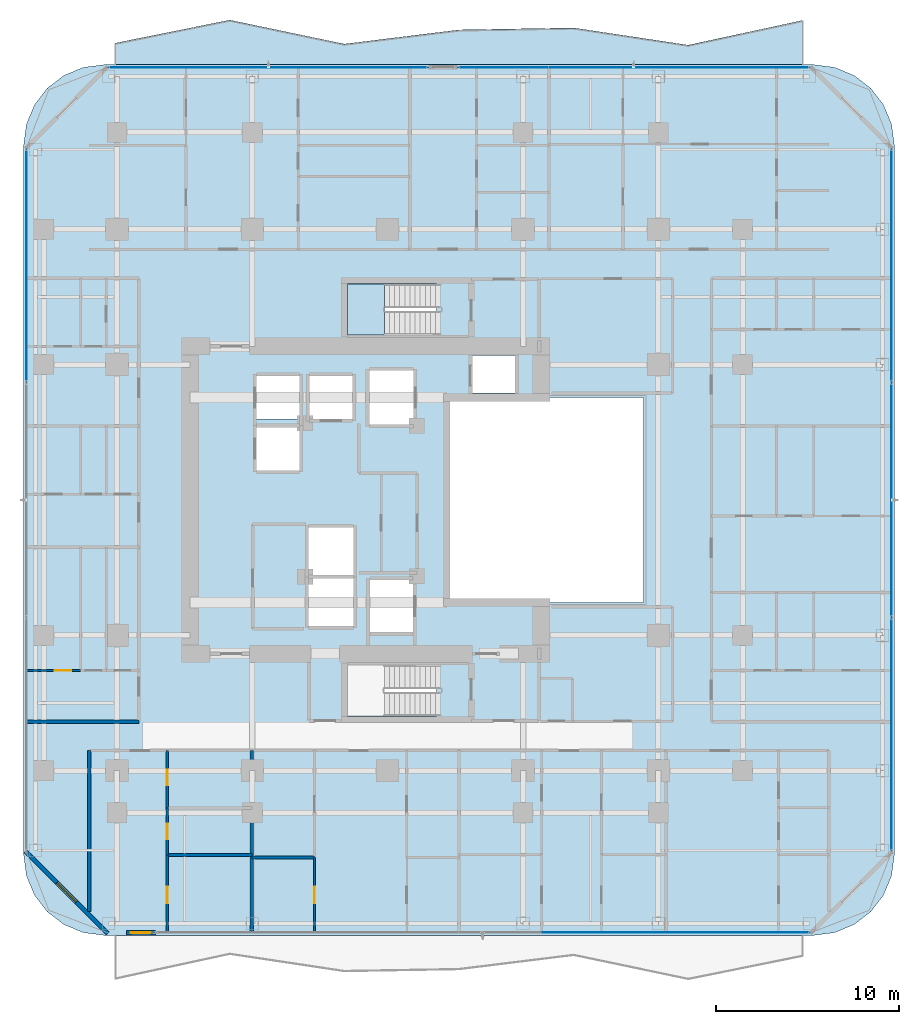
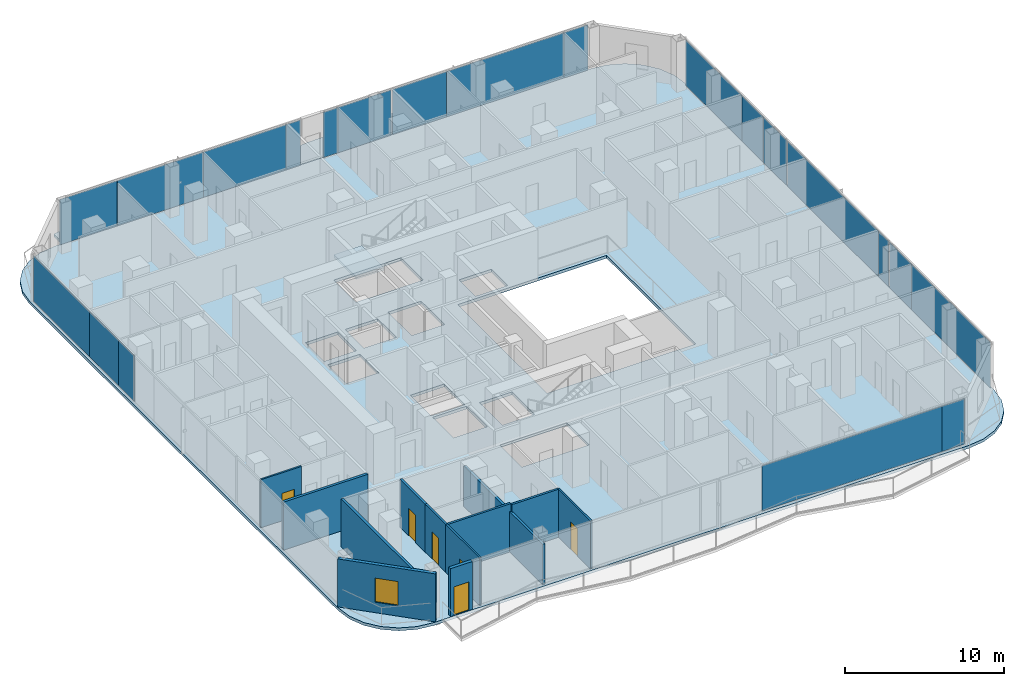
# One storey, part 17 of 29: 21 plates, 12 walls, 6 doors, 3 slabs, 1 window, 7 openings, 6 elements without a shape of their own.
"""IFC4 building model written with IfcOpenShell, lengths in metres."""

from ifc_helpers import new_model, si_unit, direction, frame, frame_2d, origin, origin_2d, place, context, subcontext, project, spatial, polyline, rectangle, outline, extrude, material, layer, layer_set, type_object, element, fill, aggregate, save


model = new_model("IFC4")

# Units and contexts
model_context = context("Model", 3, precision=1e-05, world=origin(), true_north=direction((0.0, 1.0)))
body_context = subcontext(model_context, "Body", "Model", "MODEL_VIEW")
ifc_project = project(units=[si_unit("LENGTHUNIT", "METRE"), si_unit("AREAUNIT", "SQUARE_METRE"), si_unit("VOLUMEUNIT", "CUBIC_METRE"), si_unit("PLANEANGLEUNIT", "RADIAN"), si_unit("MASSUNIT", "GRAM", prefix="KILO")], contexts=[model_context])

# Site, building, storey
site_placement = place(None, origin())
site = spatial("IfcSite", under=ifc_project, at=site_placement, CompositionType="ELEMENT")
building_placement = place(site_placement, origin())
building = spatial("IfcBuilding", under=site, at=building_placement, Name="Khorvyn Point Tower", CompositionType="ELEMENT")
storey_placement = place(building_placement, frame((0.0, 0.0, 144.60009765625)))
storey = spatial("IfcBuildingStorey", under=building, at=storey_placement, Name="L36", CompositionType="ELEMENT", Elevation=144.60009765625)

# Slabs
ifc_material_1 = material(Name="Concrete C35/45", Category="concrete")
ifc_layer_1 = layer(ifc_material_1, 0.219970703125)
ifc_layer_set_1 = layer_set([ifc_layer_1], Name="Concrete C35/45 Structural Floor Slab 220")
slab_type_1 = type_object("IfcSlabType", Name="Concrete C35/45 Structural Floor Slab 220", PredefinedType="FLOOR", material=ifc_layer_set_1)
slab_1_placement = place(storey_placement, frame((0.0, 0.0, -0.22021484375)))
element("IfcSlab", 1, at=slab_1_placement, inside=storey, type_object=slab_type_1, Name="L36 Main Structural Floor Slab", PredefinedType="FLOOR", context=body_context, shape_type="SweptSolid", body=[
    extrude(outline(polyline([(-15.5, -23.800048828125), (-16.638916015625, -23.650146484375), (-17.699951171875, -23.21044921875), (-18.611328125, -22.51123046875), (-19.310546875, -21.60009765625), (-19.75, -20.538818359375), (-19.89990234375, -19.39990234375), (-19.89990234375, 19.39990234375), (-19.75, 20.538818359375), (-19.310546875, 21.60009765625), (-18.611328125, 22.51123046875), (-17.699951171875, 23.21044921875), (-16.638916015625, 23.650146484375), (-15.5, 23.800048828125), (23.300048828125, 23.800048828125), (24.438720703125, 23.650146484375), (25.5, 23.21044921875), (26.411376953125, 22.51123046875), (27.110595703125, 21.60009765625), (27.550048828125, 20.538818359375), (27.699951171875, 19.39990234375), (27.699951171875, -19.39990234375), (27.550048828125, -20.538818359375), (27.110595703125, -21.60009765625), (26.411376953125, -22.51123046875), (25.5, -23.21044921875), (24.438720703125, -23.650146484375), (23.300048828125, -23.800048828125), (-15.5, -23.800048828125)]), holes=[polyline([(-1.875, -6.89990234375), (-1.875, -4.300048828125), (-4.324951171875, -4.300048828125), (-4.324951171875, -6.89990234375), (-1.875, -6.89990234375)]), polyline([(-1.875, -4.10009765625), (-1.875, -1.5), (-4.324951171875, -1.5), (-4.324951171875, -4.10009765625), (-1.875, -4.10009765625)]), polyline([(-4.824951171875, 1.625), (-4.824951171875, 3.97509765625), (-7.175048828125, 3.97509765625), (-7.175048828125, 1.625), (-4.824951171875, 1.625)]), polyline([(-7.175048828125, 4.425048828125), (-4.824951171875, 4.425048828125), (-4.824951171875, 6.77490234375), (-7.175048828125, 6.77490234375), (-7.175048828125, 4.425048828125)]), polyline([(-4.27490234375, 4.425048828125), (-1.925048828125, 4.425048828125), (-1.925048828125, 6.77490234375), (-4.27490234375, 6.77490234375), (-4.27490234375, 4.425048828125)]), polyline([(1.39990234375, 4.125), (1.39990234375, 7.074951171875), (-1.0, 7.074951171875), (-1.0, 4.125), (1.39990234375, 4.125)]), polyline([(-2.199951171875, -11.820068359375), (2.679931640625, -11.820068359375), (2.679931640625, -9.02001953125), (-2.199951171875, -9.02001953125), (-2.199951171875, -11.820068359375)]), polyline([(-0.97509765625, -7.22509765625), (1.375, -7.22509765625), (1.375, -4.375), (-0.97509765625, -4.375), (-0.97509765625, -7.22509765625)]), polyline([(14.0, -5.60009765625), (14.0, 5.60009765625), (3.199951171875, 5.60009765625), (3.199951171875, -5.60009765625), (14.0, -5.60009765625)]), polyline([(4.625, 5.85009765625), (6.97509765625, 5.85009765625), (6.97509765625, 7.905029296875), (4.625, 7.905029296875), (4.625, 5.85009765625)]), polyline([(-2.199951171875, 9.02001953125), (2.679931640625, 9.02001953125), (2.679931640625, 11.820068359375), (-2.199951171875, 11.820068359375), (-2.199951171875, 9.02001953125)])]), origin(), (0.0, 0.0, 1.0), 0.22021484375),
])
ifc_material_2 = material(Name="Concrete C40/50", Category="concrete")
ifc_layer_2 = layer(ifc_material_2, 0.2099609375)
ifc_layer_set_2 = layer_set([ifc_layer_2], Name="Concrete C40/50 Rippling Balcony Slab 210")
slab_type_2 = type_object("IfcSlabType", Name="Concrete C40/50 Rippling Balcony Slab 210", PredefinedType="USERDEFINED", material=ifc_layer_set_2)
slab_2_placement = place(storey_placement, frame((0.0, 0.0, -0.210205078125)))
element("IfcSlab", 2, at=slab_2_placement, inside=storey, type_object=slab_type_2, Name="L36 North Sinusoidal Rippling Balcony", ObjectType="BALCONY", PredefinedType="USERDEFINED", context=body_context, shape_type="SweptSolid", body=[
    extrude(outline(polyline([(22.699951171875, 23.800048828125), (22.699951171875, 26.226806640625), (16.433349609375, 24.87158203125), (10.166748046875, 25.8125), (3.89990234375, 25.705078125), (-2.36669921875, 24.930908203125), (-8.63330078125, 26.241455078125), (-14.89990234375, 24.978759765625), (-14.89990234375, 23.800048828125), (22.699951171875, 23.800048828125)])), origin(), (0.0, 0.0, 1.0), 0.210205078125),
])

# Stair, slab
stair_type = type_object("IfcStairType", Name="Tower Concrete C40/50 Dogleg Exit Stair", PredefinedType="HALF_TURN_STAIR", material=ifc_material_2)
stair_placement = place(storey_placement, origin())
stair = element("IfcStair", 3, at=stair_placement, inside=storey, type_object=stair_type, Name="L36 Tower Smokeproof Exit Stair North", PredefinedType="HALF_TURN_STAIR")
ifc_layer_3 = layer(ifc_material_2, 0.199951171875)
ifc_layer_set_3 = layer_set([ifc_layer_3], Name="Concrete C40/50 Stair Landing Slab 200")
slab_type_3 = type_object("IfcSlabType", Name="Concrete C40/50 Stair Landing Slab 200", PredefinedType="LANDING", material=ifc_layer_set_3)
slab_3_placement = place(storey_placement, frame((0.0, 0.0, 1.75)))
slab_3 = element("IfcSlab", 4, at=slab_3_placement, type_object=slab_type_3, Name="ST-02 landing 1", PredefinedType="LANDING", context=body_context, shape_type="SweptSolid", body=[
    extrude(outline(polyline([(-0.179931640625, 11.820068359375), (-2.199951171875, 11.820068359375), (-2.199951171875, 9.02001953125), (-0.179931640625, 9.02001953125), (-0.179931640625, 11.820068359375)])), origin(), (0.0, 0.0, 1.0), 0.199951171875),
])
aggregate(stair, [slab_3])

# Curtain wall, plates
ifc_material_3 = material(Name="Anodised aluminium 6063-T6 and laminated Low-E glass", Category="aluminium")
ifc_layer_4 = layer(ifc_material_3, 0.18994140625)
ifc_layer_set_4 = layer_set([ifc_layer_4], Name="Stick-Built Acoustic Curtain Wall CW-SYS-03")
curtain_wall_type = type_object("IfcCurtainWallType", Name="Stick-Built Acoustic Curtain Wall CW-SYS-03", PredefinedType="NOTDEFINED", material=ifc_layer_set_4)
curtain_wall_1_placement = place(storey_placement, origin())
curtain_wall_1 = element("IfcCurtainWall", 5, at=curtain_wall_1_placement, inside=storey, type_object=curtain_wall_type, Name="Curtain Wall", PredefinedType="NOTDEFINED")
ifc_material_4 = material(Name="Laminated Low-E insulated glass", Category="glass")
ifc_layer_5 = layer(ifc_material_4, 0.028076171875)
ifc_layer_set_5 = layer_set([ifc_layer_5], Name="Tempered Low-E Vision Glazing Panel CW-GL28")
plate_type = type_object("IfcPlateType", Name="Tempered Low-E Vision Glazing Panel CW-GL28", PredefinedType="CURTAIN_PANEL", material=ifc_layer_set_5)
plate_1_placement = place(storey_placement, frame((14.8994140625, -23.64990234375, 0.099853515625), z_axis=(0.0, 0.0, 1.0), x_axis=(-1.0, 0.0, 0.0)))
plate_1 = element("IfcPlate", 6, at=plate_1_placement, type_object=plate_type, Name="Panel", PredefinedType="CURTAIN_PANEL", context=body_context, shape_type="SweptSolid", body=[
    extrude(rectangle(XDim=13.052978515625, YDim=0.028076171875, at=origin_2d()), origin(), (0.0, 0.0, 1.0), 3.47998046875),
])
plate_2_placement = place(storey_placement, frame((22.239990234375, -23.64990234375, 0.099853515625), z_axis=(0.0, 0.0, 1.0), x_axis=(-1.0, 0.0, 0.0)))
plate_2 = element("IfcPlate", 7, at=plate_2_placement, type_object=plate_type, Name="Panel", PredefinedType="CURTAIN_PANEL", context=body_context, shape_type="SweptSolid", body=[
    extrude(rectangle(XDim=1.612060546875, YDim=0.028076171875, at=origin_2d()), origin(), (0.0, 0.0, 1.0), 3.47998046875),
])
aggregate(curtain_wall_1, [plate_1, plate_2])

curtain_wall_2_placement = place(storey_placement, origin())
curtain_wall_2 = element("IfcCurtainWall", 8, at=curtain_wall_2_placement, inside=storey, type_object=curtain_wall_type, Name="Curtain Wall", PredefinedType="NOTDEFINED")
plate_3_placement = place(storey_placement, frame((-13.1669921875, 23.64990234375, 0.099853515625), z_axis=(0.0, 0.0, 1.0), x_axis=(1.0, 0.0, 0.0)))
plate_3 = element("IfcPlate", 9, at=plate_3_placement, type_object=plate_type, Name="Panel", PredefinedType="CURTAIN_PANEL", context=body_context, shape_type="SweptSolid", body=[
    extrude(rectangle(XDim=4.157958984375, YDim=0.028076171875, at=origin_2d()), origin(), (0.0, 0.0, 1.0), 3.47998046875),
])
plate_4_placement = place(storey_placement, frame((-7.95703125, 23.64990234375, 0.099853515625), z_axis=(0.0, 0.0, 1.0), x_axis=(1.0, 0.0, 0.0)))
plate_4 = element("IfcPlate", 10, at=plate_4_placement, type_object=plate_type, Name="Panel", PredefinedType="CURTAIN_PANEL", context=body_context, shape_type="SweptSolid", body=[
    extrude(rectangle(XDim=6.24609375, YDim=0.028076171875, at=origin_2d()), origin(), (0.0, 0.0, 1.0), 3.47998046875),
])
plate_5_placement = place(storey_placement, frame((-1.843017578125, 23.64990234375, 0.099853515625), z_axis=(0.0, 0.0, 1.0), x_axis=(1.0, 0.0, 0.0)))
plate_5 = element("IfcPlate", 11, at=plate_5_placement, type_object=plate_type, Name="Panel", PredefinedType="CURTAIN_PANEL", context=body_context, shape_type="SweptSolid", body=[
    extrude(rectangle(XDim=5.966064453125, YDim=0.028076171875, at=origin_2d()), origin(), (0.0, 0.0, 1.0), 3.47998046875),
])
plate_6_placement = place(storey_placement, frame((1.677978515625, 23.64990234375, 0.099853515625), z_axis=(0.0, 0.0, 1.0), x_axis=(1.0, 0.0, 0.0)))
plate_6 = element("IfcPlate", 12, at=plate_6_placement, type_object=plate_type, Name="Panel", PredefinedType="CURTAIN_PANEL", context=body_context, shape_type="SweptSolid", body=[
    extrude(rectangle(XDim=1.06005859375, YDim=0.028076171875, at=origin_2d()), origin(), (0.0, 0.0, 1.0), 3.47998046875),
])
aggregate(curtain_wall_2, [plate_3, plate_4, plate_5, plate_6])

curtain_wall_3_placement = place(storey_placement, origin())
curtain_wall_3 = element("IfcCurtainWall", 13, at=curtain_wall_3_placement, inside=storey, type_object=curtain_wall_type, Name="Curtain Wall", PredefinedType="NOTDEFINED")
plate_7_placement = place(storey_placement, frame((4.385986328125, 23.64990234375, 0.099853515625), z_axis=(0.0, 0.0, 1.0), x_axis=(1.0, 0.0, 0.0)))
plate_7 = element("IfcPlate", 14, at=plate_7_placement, type_object=plate_type, Name="Panel", PredefinedType="CURTAIN_PANEL", context=body_context, shape_type="SweptSolid", body=[
    extrude(rectangle(XDim=1.06005859375, YDim=0.028076171875, at=origin_2d()), origin(), (0.0, 0.0, 1.0), 3.47998046875),
])
plate_8_placement = place(storey_placement, frame((6.840087890625, 23.64990234375, 0.099853515625), z_axis=(0.0, 0.0, 1.0), x_axis=(1.0, 0.0, 0.0)))
plate_8 = element("IfcPlate", 15, at=plate_8_placement, type_object=plate_type, Name="Panel", PredefinedType="CURTAIN_PANEL", context=body_context, shape_type="SweptSolid", body=[
    extrude(rectangle(XDim=3.83203125, YDim=0.028076171875, at=origin_2d()), origin(), (0.0, 0.0, 1.0), 3.47998046875),
])
plate_9_placement = place(storey_placement, frame((10.843017578125, 23.64990234375, 0.099853515625), z_axis=(0.0, 0.0, 1.0), x_axis=(1.0, 0.0, 0.0)))
plate_9 = element("IfcPlate", 16, at=plate_9_placement, type_object=plate_type, Name="Panel", PredefinedType="CURTAIN_PANEL", context=body_context, shape_type="SweptSolid", body=[
    extrude(rectangle(XDim=3.91796875, YDim=0.028076171875, at=origin_2d()), origin(), (0.0, 0.0, 1.0), 3.47998046875),
])
plate_10_placement = place(storey_placement, frame((17.068115234375, 23.64990234375, 0.099853515625), z_axis=(0.0, 0.0, 1.0), x_axis=(1.0, 0.0, 0.0)))
plate_10 = element("IfcPlate", 17, at=plate_10_placement, type_object=plate_type, Name="Panel", PredefinedType="CURTAIN_PANEL", context=body_context, shape_type="SweptSolid", body=[
    extrude(rectangle(XDim=8.51611328125, YDim=0.028076171875, at=origin_2d()), origin(), (0.0, 0.0, 1.0), 3.47998046875),
])
plate_11_placement = place(storey_placement, frame((22.18994140625, 23.64990234375, 0.099853515625), z_axis=(0.0, 0.0, 1.0), x_axis=(1.0, 0.0, 0.0)))
plate_11 = element("IfcPlate", 18, at=plate_11_placement, type_object=plate_type, Name="Panel", PredefinedType="CURTAIN_PANEL", context=body_context, shape_type="SweptSolid", body=[
    extrude(rectangle(XDim=1.7119140625, YDim=0.028076171875, at=origin_2d()), origin(), (0.0, 0.0, 1.0), 3.47998046875),
])
aggregate(curtain_wall_3, [plate_7, plate_8, plate_9, plate_10, plate_11])

curtain_wall_4_placement = place(storey_placement, origin())
curtain_wall_4 = element("IfcCurtainWall", 19, at=curtain_wall_4_placement, inside=storey, type_object=curtain_wall_type, Name="Curtain Wall", PredefinedType="NOTDEFINED")
plate_12_placement = place(storey_placement, frame((-19.75, 7.460205078125, 0.099853515625), z_axis=(0.0, 0.0, 1.0), x_axis=(0.0, 1.0, 0.0)))
plate_12 = element("IfcPlate", 20, at=plate_12_placement, type_object=plate_type, Name="Panel", PredefinedType="CURTAIN_PANEL", context=body_context, shape_type="SweptSolid", body=[
    extrude(rectangle(XDim=1.979248046875, YDim=0.028076171875, at=origin_2d()), origin(), (0.0, 0.0, 1.0), 3.47998046875),
])
plate_13_placement = place(storey_placement, frame((-19.75, 10.257080078125, 0.099853515625), z_axis=(0.0, 0.0, 1.0), x_axis=(0.0, 1.0, 0.0)))
plate_13 = element("IfcPlate", 21, at=plate_13_placement, type_object=plate_type, Name="Panel", PredefinedType="CURTAIN_PANEL", context=body_context, shape_type="SweptSolid", body=[
    extrude(rectangle(XDim=3.597900390625, YDim=0.028076171875, at=origin_2d()), origin(), (0.0, 0.0, 1.0), 3.47998046875),
])
plate_14_placement = place(storey_placement, frame((-19.75, 15.60498046875, 0.099853515625), z_axis=(0.0, 0.0, 1.0), x_axis=(0.0, 1.0, 0.0)))
plate_14 = element("IfcPlate", 22, at=plate_14_placement, type_object=plate_type, Name="Panel", PredefinedType="CURTAIN_PANEL", context=body_context, shape_type="SweptSolid", body=[
    extrude(rectangle(XDim=7.08203125, YDim=0.028076171875, at=origin_2d()), origin(), (0.0, 0.0, 1.0), 3.47998046875),
])
aggregate(curtain_wall_4, [plate_12, plate_13, plate_14])

curtain_wall_5_placement = place(storey_placement, origin())
curtain_wall_5 = element("IfcCurtainWall", 23, at=curtain_wall_5_placement, inside=storey, type_object=curtain_wall_type, Name="Curtain Wall", PredefinedType="NOTDEFINED")
plate_15_placement = place(storey_placement, frame((27.550048828125, 7.92333984375, 0.099853515625), z_axis=(0.0, 0.0, 1.0), x_axis=(0.0, -1.0, 0.0)))
plate_15 = element("IfcPlate", 24, at=plate_15_placement, type_object=plate_type, Name="Panel", PredefinedType="CURTAIN_PANEL", context=body_context, shape_type="SweptSolid", body=[
    extrude(rectangle(XDim=2.9052734375, YDim=0.028076171875, at=origin_2d()), origin(), (0.0, 0.0, 1.0), 3.47998046875),
])
plate_16_placement = place(storey_placement, frame((27.550048828125, 10.719970703125, 0.099853515625), z_axis=(0.0, 0.0, 1.0), x_axis=(0.0, -1.0, 0.0)))
plate_16 = element("IfcPlate", 25, at=plate_16_placement, type_object=plate_type, Name="Panel", PredefinedType="CURTAIN_PANEL", context=body_context, shape_type="SweptSolid", body=[
    extrude(rectangle(XDim=2.672119140625, YDim=0.028076171875, at=origin_2d()), origin(), (0.0, 0.0, 1.0), 3.47998046875),
])
plate_17_placement = place(storey_placement, frame((27.550048828125, 15.60498046875, 0.099853515625), z_axis=(0.0, 0.0, 1.0), x_axis=(0.0, -1.0, 0.0)))
plate_17 = element("IfcPlate", 26, at=plate_17_placement, type_object=plate_type, Name="Panel", PredefinedType="CURTAIN_PANEL", context=body_context, shape_type="SweptSolid", body=[
    extrude(rectangle(XDim=7.08203125, YDim=0.028076171875, at=origin_2d()), origin(), (0.0, 0.0, 1.0), 3.47998046875),
])
plate_18_placement = place(storey_placement, frame((27.550048828125, -5.7421875, 0.099853515625), z_axis=(0.0, 0.0, 1.0), x_axis=(0.0, -1.0, 0.0)))
plate_18 = element("IfcPlate", 27, at=plate_18_placement, type_object=plate_type, Name="Panel", PredefinedType="CURTAIN_PANEL", context=body_context, shape_type="SweptSolid", body=[
    extrude(rectangle(XDim=1.24072265625, YDim=0.028076171875, at=origin_2d()), origin(), (0.0, 0.0, 1.0), 3.47998046875),
])
plate_19_placement = place(storey_placement, frame((27.550048828125, 0.624267578125, 0.099853515625), z_axis=(0.0, 0.0, 1.0), x_axis=(0.0, -1.0, 0.0)))
plate_19 = element("IfcPlate", 28, at=plate_19_placement, type_object=plate_type, Name="Panel", PredefinedType="CURTAIN_PANEL", context=body_context, shape_type="SweptSolid", body=[
    extrude(rectangle(XDim=11.476806640625, YDim=0.028076171875, at=origin_2d()), origin(), (0.0, 0.0, 1.0), 3.47998046875),
])
plate_20_placement = place(storey_placement, frame((27.550048828125, -14.205078125, 0.099853515625), z_axis=(0.0, 0.0, 1.0), x_axis=(0.0, -1.0, 0.0)))
plate_20 = element("IfcPlate", 29, at=plate_20_placement, type_object=plate_type, Name="Panel", PredefinedType="CURTAIN_PANEL", context=body_context, shape_type="SweptSolid", body=[
    extrude(rectangle(XDim=9.882080078125, YDim=0.028076171875, at=origin_2d()), origin(), (0.0, 0.0, 1.0), 3.47998046875),
])
plate_21_placement = place(storey_placement, frame((27.550048828125, -7.86328125, 0.099853515625), z_axis=(0.0, 0.0, 1.0), x_axis=(0.0, -1.0, 0.0)))
plate_21 = element("IfcPlate", 30, at=plate_21_placement, type_object=plate_type, Name="Panel", PredefinedType="CURTAIN_PANEL", context=body_context, shape_type="SweptSolid", body=[
    extrude(rectangle(XDim=2.785400390625, YDim=0.028076171875, at=origin_2d()), origin(), (0.0, 0.0, 1.0), 3.47998046875),
])
aggregate(curtain_wall_5, [plate_15, plate_16, plate_17, plate_18, plate_19, plate_20, plate_21])

# Walls
ifc_material_5 = material(Name="Double acoustic gypsum on twin steel stud", Category="steel")
ifc_layer_6 = layer(ifc_material_5, 0.179931640625)
ifc_layer_set_6 = layer_set([ifc_layer_6], Name="Acoustic Double-Stud Apartment Demising Wall 180")
wall_type_1 = type_object("IfcWallType", Name="Acoustic Double-Stud Apartment Demising Wall 180", PredefinedType="PARTITIONING", material=ifc_layer_set_6)
wall_1_placement = place(storey_placement, frame((-16.320068359375, -22.510009765625, 0.0), z_axis=(0.0, 0.0, 1.0), x_axis=(0.0, 1.0, 0.0)))
element("IfcWall", 31, at=wall_1_placement, inside=storey, type_object=wall_type_1, Name="Wall", PredefinedType="PARTITIONING", context=body_context, shape_type="SweptSolid", body=[
    extrude(rectangle(XDim=8.81005859375, YDim=0.179931640625, at=frame_2d((4.405029296875, 0.0))), origin(), (0.0, 0.0, 1.0), 3.679931640625),
])
wall_2_placement = place(storey_placement, frame((-7.423095703125, -23.6298828125, 0.0), z_axis=(0.0, 0.0, 1.0), x_axis=(0.0, 1.0, 0.0)))
element("IfcWall", 32, at=wall_2_placement, inside=storey, type_object=wall_type_1, Name="Wall", PredefinedType="PARTITIONING", context=body_context, shape_type="SweptSolid", body=[
    extrude(rectangle(XDim=9.929931640625, YDim=0.179931640625, at=frame_2d((4.96484375, 0.0))), origin(), (0.0, 0.0, 1.0), 3.081787109375),
])
wall_3_placement = place(storey_placement, frame((-19.72998046875, -12.1201171875, 0.0), z_axis=(0.0, 0.0, 1.0), x_axis=(1.0, 0.0, 0.0)))
element("IfcWall", 33, at=wall_3_placement, inside=storey, type_object=wall_type_1, Name="Wall", PredefinedType="PARTITIONING", context=body_context, shape_type="SweptSolid", body=[
    extrude(rectangle(XDim=6.1298828125, YDim=0.179931640625, at=frame_2d((3.06494140625, 0.0))), origin(), (0.0, 0.0, 1.0), 3.679931640625),
])

# Wall, opening, door
ifc_material_6 = material(Name="Pale anodised aluminium rainscreen on steel stud", Category="steel")
ifc_layer_7 = layer(ifc_material_6, 0.239990234375)
ifc_layer_set_7 = layer_set([ifc_layer_7], Name="Anodised Aluminium Insulated Corner Spandrel Wall 240")
wall_type_2 = type_object("IfcWallType", Name="Anodised Aluminium Insulated Corner Spandrel Wall 240", PredefinedType="SOLIDWALL", material=ifc_layer_set_7)
wall_4_placement = place(storey_placement, frame((-12.698974609375, -23.64990234375, 0.0), z_axis=(0.0, 0.0, 1.0), x_axis=(-1.0, 0.0, 0.0)))
wall_4 = element("IfcWall", 34, at=wall_4_placement, inside=storey, type_object=wall_type_2, Name="L36 South Outdoor Threshold Wall", PredefinedType="SOLIDWALL", context=body_context, shape_type="SweptSolid", body=[
    extrude(rectangle(XDim=1.580078125, YDim=0.239990234375, at=frame_2d((0.7900390625, 0.0))), origin(), (0.0, 0.0, 1.0), 3.679931640625),
])
opening_1_placement = place(wall_4_placement, frame((0.239990234375, 0.0, 0.0)))
opening_1 = element("IfcOpeningElement", 35, at=opening_1_placement, cuts=wall_4, Name="Opening BD-1122", PredefinedType="OPENING", context=body_context, shape_type="SweptSolid", body=[
    extrude(rectangle(XDim=1.10009765625, YDim=2.199951171875, at=frame_2d((0.550048828125, 1.10009765625))), frame((0.0, 0.1298828125, 0.0), z_axis=(0.0, -1.0, 0.0), x_axis=(1.0, 0.0, 0.0)), (0.0, 0.0, 1.0), 0.260009765625),
])
door_type_1 = type_object("IfcDoorType", Name="Glazed Balcony and Terrace Threshold Door 1100x2200", OperationType="NOTDEFINED", PredefinedType="DOOR", material=ifc_material_3)
door_1_placement = place(opening_1_placement, origin())
door_1 = element("IfcDoor", 36, at=door_1_placement, inside=storey, type_object=door_type_1, Name="L36 South Glazed Balcony Outdoor Door", OperationType="SINGLE_SWING_RIGHT", OverallHeight=2.199951171875, OverallWidth=1.10009765625, PredefinedType="DOOR", context=body_context, shape_type="SweptSolid", body=[
    extrude(rectangle(XDim=1.10009765625, YDim=2.199951171875, at=frame_2d((0.550048828125, 1.10009765625))), frame((0.0, 0.02490234375, 0.0), z_axis=(0.0, -1.0, 0.0), x_axis=(1.0, 0.0, 0.0)), (0.0, 0.0, 1.0), 0.050048828125),
])
fill(opening_1, door_1)

# Wall, opening, window
wall_5_placement = place(storey_placement, frame((-15.3076171875, -23.6923828125, 0.0), z_axis=(0.0, 0.0, 1.0), x_axis=(-0.707106781187, 0.707106781187, 0.0)))
wall_5 = element("IfcWall", 37, at=wall_5_placement, inside=storey, type_object=wall_type_2, Name="L36 Rounded Corner Wall SW", PredefinedType="SOLIDWALL", context=body_context, shape_type="SweptSolid", body=[
    extrude(rectangle(XDim=6.342529296875, YDim=0.239990234375, at=frame_2d((3.17138671875, 0.0))), origin(), (0.0, 0.0, 1.0), 3.679931640625),
])
opening_2_placement = place(wall_5_placement, frame((2.42138671875, 0.0, 0.800048828125)))
opening_2 = element("IfcOpeningElement", 38, at=opening_2_placement, cuts=wall_5, Name="Opening WN-1518", PredefinedType="OPENING", context=body_context, shape_type="SweptSolid", body=[
    extrude(rectangle(XDim=1.5, YDim=1.85009765625, at=frame_2d((0.75, 0.925048828125))), frame((0.0, 0.1298828125, 0.0), z_axis=(0.0, -1.0, 0.0), x_axis=(1.0, 0.0, 0.0)), (0.0, 0.0, 1.0), 0.260009765625),
])
window_type = type_object("IfcWindowType", Name="Anodised Aluminium Rounded-Corner Panoramic Window 1500x1850", PartitioningType="SINGLE_PANEL", PredefinedType="WINDOW", material=ifc_material_3)
window_placement = place(opening_2_placement, origin())
window = element("IfcWindow", 39, at=window_placement, inside=storey, type_object=window_type, Name="L36 Corner Panoramic Window SW", OverallHeight=1.85009765625, OverallWidth=1.5, PartitioningType="SINGLE_PANEL", PredefinedType="WINDOW", context=body_context, shape_type="SweptSolid", body=[
    extrude(rectangle(XDim=1.5, YDim=1.85009765625, at=frame_2d((0.75, 0.925048828125))), frame((0.0, 0.030029296875, 0.0), z_axis=(0.0, -1.0, 0.0), x_axis=(1.0, 0.0, 0.0)), (0.0, 0.0, 1.0), 0.06005859375),
])
fill(opening_2, window)

# Wall, opening, door
ifc_material_7 = material(Name="Gypsum plasterboard on steel stud", Category="steel")
ifc_layer_8 = layer(ifc_material_7, 0.1201171875)
ifc_layer_set_8 = layer_set([ifc_layer_8], Name="Gypsum Acoustic Stud Room Partition Wall 120")
wall_type_3 = type_object("IfcWallType", Name="Gypsum Acoustic Stud Room Partition Wall 120", PredefinedType="PARTITIONING", material=ifc_layer_set_8)
wall_6_placement = place(storey_placement, frame((-12.049072265625, -23.6298828125, 0.0), z_axis=(0.0, 0.0, 1.0), x_axis=(0.0, 1.0, 0.0)))
wall_6 = element("IfcWall", 40, at=wall_6_placement, inside=storey, type_object=wall_type_3, Name="Wall", PredefinedType="PARTITIONING", context=body_context, shape_type="SweptSolid", body=[
    extrude(rectangle(XDim=4.223876953125, YDim=0.1201171875, at=frame_2d((2.11181640625, 0.0))), origin(), (0.0, 0.0, 1.0), 3.679931640625),
])
opening_3_placement = place(wall_6_placement, frame((1.573486328125, 0.0, 0.0)))
opening_3 = element("IfcOpeningElement", 41, at=opening_3_placement, cuts=wall_6, Name="Opening ID-RM90", PredefinedType="OPENING", context=body_context, shape_type="SweptSolid", body=[
    extrude(rectangle(XDim=0.89990234375, YDim=2.10009765625, at=frame_2d((0.449951171875, 1.050048828125))), frame((0.0, 0.070068359375, 0.0), z_axis=(0.0, -1.0, 0.0), x_axis=(1.0, 0.0, 0.0)), (0.0, 0.0, 1.0), 0.14013671875),
])
ifc_material_8 = material(Name="Engineered oak veneer timber", Category="wood")
door_type_2 = type_object("IfcDoorType", Name="Flush Engineered Timber Room Door 900x2100", OperationType="NOTDEFINED", PredefinedType="DOOR", material=ifc_material_8)
door_2_placement = place(opening_3_placement, origin())
door_2 = element("IfcDoor", 42, at=door_2_placement, inside=storey, type_object=door_type_2, Name="Door", OperationType="SINGLE_SWING_RIGHT", OverallHeight=2.10009765625, OverallWidth=0.89990234375, PredefinedType="DOOR", context=body_context, shape_type="SweptSolid", body=[
    extrude(rectangle(XDim=0.89990234375, YDim=2.10009765625, at=frame_2d((0.449951171875, 1.050048828125))), frame((0.0, 0.02490234375, 0.0), z_axis=(0.0, -1.0, 0.0), x_axis=(1.0, 0.0, 0.0)), (0.0, 0.0, 1.0), 0.050048828125),
])
fill(opening_3, door_2)

wall_7_placement = place(storey_placement, frame((-4.0009765625, -23.6298828125, 0.0), z_axis=(0.0, 0.0, 1.0), x_axis=(0.0, 1.0, 0.0)))
wall_7 = element("IfcWall", 43, at=wall_7_placement, inside=storey, type_object=wall_type_3, Name="Wall", PredefinedType="PARTITIONING", context=body_context, shape_type="SweptSolid", body=[
    extrude(rectangle(XDim=4.0849609375, YDim=0.1201171875, at=frame_2d((2.04248046875, 0.0))), origin(), (0.0, 0.0, 1.0), 3.679931640625),
])
opening_4_placement = place(wall_7_placement, frame((1.592529296875, 0.0, 0.0)))
opening_4 = element("IfcOpeningElement", 44, at=opening_4_placement, cuts=wall_7, Name="Opening ID-RM90", PredefinedType="OPENING", context=body_context, shape_type="SweptSolid", body=[
    extrude(rectangle(XDim=0.89990234375, YDim=2.10009765625, at=frame_2d((0.449951171875, 1.050048828125))), frame((0.0, 0.070068359375, 0.0), z_axis=(0.0, -1.0, 0.0), x_axis=(1.0, 0.0, 0.0)), (0.0, 0.0, 1.0), 0.14013671875),
])
door_3_placement = place(opening_4_placement, origin())
door_3 = element("IfcDoor", 45, at=door_3_placement, inside=storey, type_object=door_type_2, Name="Door", OperationType="SINGLE_SWING_LEFT", OverallHeight=2.10009765625, OverallWidth=0.89990234375, PredefinedType="DOOR", context=body_context, shape_type="SweptSolid", body=[
    extrude(rectangle(XDim=0.89990234375, YDim=2.10009765625, at=frame_2d((0.449951171875, 1.050048828125))), frame((0.0, 0.02490234375, 0.0), z_axis=(0.0, -1.0, 0.0), x_axis=(1.0, 0.0, 0.0)), (0.0, 0.0, 1.0), 0.050048828125),
])
fill(opening_4, door_3)

wall_8_placement = place(storey_placement, frame((-19.72998046875, -9.320068359375, 0.0), z_axis=(0.0, 0.0, 1.0), x_axis=(1.0, 0.0, 0.0)))
wall_8 = element("IfcWall", 46, at=wall_8_placement, inside=storey, type_object=wall_type_3, Name="Wall", PredefinedType="PARTITIONING", context=body_context, shape_type="SweptSolid", body=[
    extrude(rectangle(XDim=2.946044921875, YDim=0.1201171875, at=frame_2d((1.47314453125, 0.0))), origin(), (0.0, 0.0, 1.0), 3.679931640625),
])
opening_5_placement = place(wall_8_placement, frame((1.540771484375, 0.0, 0.0)))
opening_5 = element("IfcOpeningElement", 47, at=opening_5_placement, cuts=wall_8, Name="Opening ID-RM90", PredefinedType="OPENING", context=body_context, shape_type="SweptSolid", body=[
    extrude(rectangle(XDim=0.89990234375, YDim=2.10009765625, at=frame_2d((0.449951171875, 1.050048828125))), frame((0.0, 0.070068359375, 0.0), z_axis=(0.0, -1.0, 0.0), x_axis=(1.0, 0.0, 0.0)), (0.0, 0.0, 1.0), 0.14013671875),
])
door_4_placement = place(opening_5_placement, origin())
door_4 = element("IfcDoor", 48, at=door_4_placement, inside=storey, type_object=door_type_2, Name="Door", OperationType="SINGLE_SWING_RIGHT", OverallHeight=2.10009765625, OverallWidth=0.89990234375, PredefinedType="DOOR", context=body_context, shape_type="SweptSolid", body=[
    extrude(rectangle(XDim=0.89990234375, YDim=2.10009765625, at=frame_2d((0.449951171875, 1.050048828125))), frame((0.0, 0.02490234375, 0.0), z_axis=(0.0, -1.0, 0.0), x_axis=(1.0, 0.0, 0.0)), (0.0, 0.0, 1.0), 0.050048828125),
])
fill(opening_5, door_4)

ifc_material_9 = material(Name="Moisture-resistant gypsum and cement board", Category="gypsum")
ifc_layer_9 = layer(ifc_material_9, 0.14990234375)
ifc_layer_set_9 = layer_set([ifc_layer_9], Name="Moisture-Resistant Wet-Room Partition Wall 150")
wall_type_4 = type_object("IfcWallType", Name="Moisture-Resistant Wet-Room Partition Wall 150", PredefinedType="PARTITIONING", material=ifc_layer_set_9)
wall_9_placement = place(storey_placement, frame((-12.049072265625, -16.837890625, 0.0), z_axis=(0.0, 0.0, 1.0), x_axis=(0.0, 1.0, 0.0)))
wall_9 = element("IfcWall", 49, at=wall_9_placement, inside=storey, type_object=wall_type_4, Name="Wall", PredefinedType="PARTITIONING", context=body_context, shape_type="SweptSolid", body=[
    extrude(rectangle(XDim=3.137939453125, YDim=0.14990234375, at=frame_2d((1.56884765625, 0.0))), origin(), (0.0, 0.0, 1.0), 3.679931640625),
])
opening_6_placement = place(wall_9_placement, frame((1.2333984375, 0.0, 0.0)))
opening_6 = element("IfcOpeningElement", 50, at=opening_6_placement, cuts=wall_9, Name="Opening ID-WC85", PredefinedType="OPENING", context=body_context, shape_type="SweptSolid", body=[
    extrude(rectangle(XDim=0.85009765625, YDim=2.10009765625, at=frame_2d((0.425048828125, 1.050048828125))), frame((0.0, 0.0849609375, 0.0), z_axis=(0.0, -1.0, 0.0), x_axis=(1.0, 0.0, 0.0)), (0.0, 0.0, 1.0), 0.169921875),
])
ifc_material_10 = material(Name="High-pressure laminate on moisture-resistant core", Category="wood")
door_type_3 = type_object("IfcDoorType", Name="Moisture-Resistant Accessible Washroom Door 850x2100", OperationType="NOTDEFINED", PredefinedType="DOOR", material=ifc_material_10)
door_5_placement = place(opening_6_placement, origin())
door_5 = element("IfcDoor", 51, at=door_5_placement, inside=storey, type_object=door_type_3, Name="Door", OperationType="SINGLE_SWING_RIGHT", OverallHeight=2.10009765625, OverallWidth=0.85009765625, PredefinedType="DOOR", context=body_context, shape_type="SweptSolid", body=[
    extrude(rectangle(XDim=0.85009765625, YDim=2.10009765625, at=frame_2d((0.425048828125, 1.050048828125))), frame((0.0, 0.02490234375, 0.0), z_axis=(0.0, -1.0, 0.0), x_axis=(1.0, 0.0, 0.0)), (0.0, 0.0, 1.0), 0.050048828125),
])
fill(opening_6, door_5)

wall_10_placement = place(storey_placement, frame((-12.049072265625, -19.406005859375, 0.0), z_axis=(0.0, 0.0, 1.0), x_axis=(0.0, 1.0, 0.0)))
wall_10 = element("IfcWall", 52, at=wall_10_placement, inside=storey, type_object=wall_type_4, Name="Wall", PredefinedType="PARTITIONING", context=body_context, shape_type="SweptSolid", body=[
    extrude(rectangle(XDim=2.568115234375, YDim=0.14990234375, at=frame_2d((1.2841796875, 0.0))), origin(), (0.0, 0.0, 1.0), 3.679931640625),
])
opening_7_placement = place(wall_10_placement, frame((0.85888671875, 0.0, 0.0)))
opening_7 = element("IfcOpeningElement", 53, at=opening_7_placement, cuts=wall_10, Name="Opening ID-WC85", PredefinedType="OPENING", context=body_context, shape_type="SweptSolid", body=[
    extrude(rectangle(XDim=0.85009765625, YDim=2.10009765625, at=frame_2d((0.425048828125, 1.050048828125))), frame((0.0, 0.0849609375, 0.0), z_axis=(0.0, -1.0, 0.0), x_axis=(1.0, 0.0, 0.0)), (0.0, 0.0, 1.0), 0.169921875),
])
door_6_placement = place(opening_7_placement, origin())
door_6 = element("IfcDoor", 54, at=door_6_placement, inside=storey, type_object=door_type_3, Name="Door", OperationType="SINGLE_SWING_LEFT", OverallHeight=2.10009765625, OverallWidth=0.85009765625, PredefinedType="DOOR", context=body_context, shape_type="SweptSolid", body=[
    extrude(rectangle(XDim=0.85009765625, YDim=2.10009765625, at=frame_2d((0.425048828125, 1.050048828125))), frame((0.0, 0.02490234375, 0.0), z_axis=(0.0, -1.0, 0.0), x_axis=(1.0, 0.0, 0.0)), (0.0, 0.0, 1.0), 0.050048828125),
])
fill(opening_7, door_6)

# Walls
wall_11_placement = place(storey_placement, frame((-12.049072265625, -19.406005859375, 0.0), z_axis=(0.0, 0.0, 1.0), x_axis=(1.0, 0.0, 0.0)))
element("IfcWall", 55, at=wall_11_placement, inside=storey, type_object=wall_type_4, Name="Wall", PredefinedType="PARTITIONING", context=body_context, shape_type="SweptSolid", body=[
    extrude(rectangle(XDim=4.6259765625, YDim=0.14990234375, at=frame_2d((2.31298828125, 0.0))), origin(), (0.0, 0.0, 1.0), 3.679931640625),
])
wall_12_placement = place(storey_placement, frame((-7.423095703125, -19.544921875, 0.0), z_axis=(0.0, 0.0, 1.0), x_axis=(1.0, 0.0, 0.0)))
element("IfcWall", 56, at=wall_12_placement, inside=storey, type_object=wall_type_4, Name="Wall", PredefinedType="PARTITIONING", context=body_context, shape_type="SweptSolid", body=[
    extrude(rectangle(XDim=3.422119140625, YDim=0.14990234375, at=frame_2d((1.7109375, 0.0))), origin(), (0.0, 0.0, 1.0), 3.679931640625),
])

save(model, "model.ifc")
